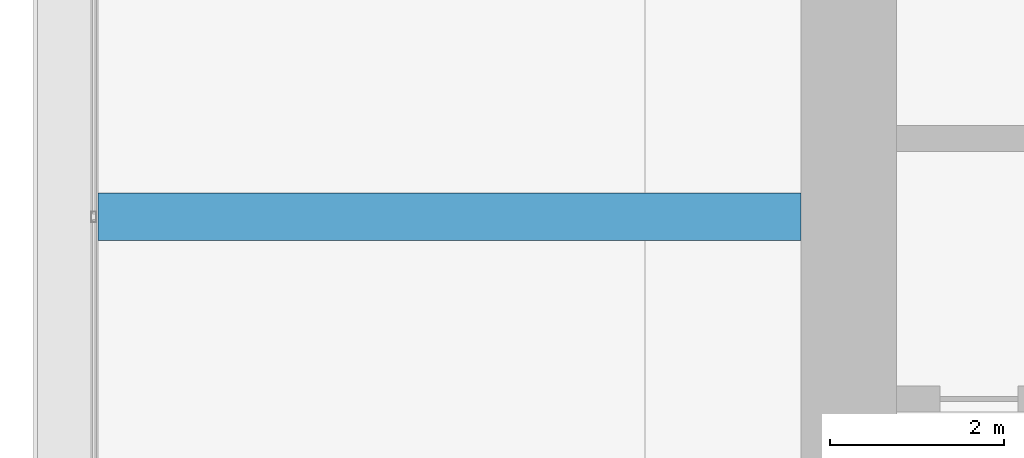
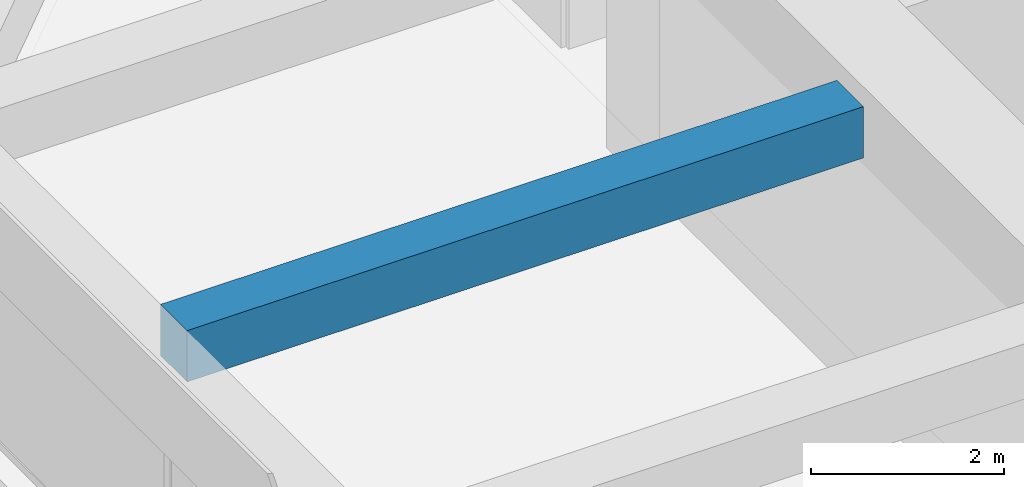
# One storey, part 17 of 44: 1 beam.
"""IFC4 building model written with IfcOpenShell, lengths in metres."""

import ifcopenshell
import ifcopenshell.guid

model = None  # the IFC model being written
_history = None  # IfcOwnerHistory: only IFC2X3 demands one
_inside = {}  # id of a spatial element -> (the spatial element, [elements in it])
_under = {}  # id of a project, library or spatial element -> (it, [spatial elements below it])
_declared = {}  # id of a project -> (the project, [libraries it declares])
_typed = {}  # id of a type object -> (the type object, [elements of that type])
_made_of = {}  # id of a material, layer set ... -> (it, [elements and type objects made of it])


def new_model(schema):
    """Start an empty IFC model of exactly this schema.

    Asked for "IFC4X3", IfcOpenShell would pick the latest addendum, in which some entities
    have other attributes; the version numbers below select the first issue.
    IFC2X3 requires an IfcOwnerHistory on every rooted entity: one is made here for all.
    """
    global model, _history
    if schema == "IFC4X3":
        model = ifcopenshell.file(schema_version=(4, 3, 0, 0))
    else:
        model = ifcopenshell.file(schema=schema)
    _inside.clear()
    _under.clear()
    _declared.clear()
    _typed.clear()
    _made_of.clear()
    _history = None
    if model.schema == "IFC2X3":
        org = make("IfcOrganization", Name="unknown")
        user = make(
            "IfcPersonAndOrganization",
            ThePerson=make("IfcPerson", FamilyName="unknown"),
            TheOrganization=org,
        )
        app = make(
            "IfcApplication",
            ApplicationDeveloper=org,
            Version="unknown",
            ApplicationFullName="unknown",
            ApplicationIdentifier="unknown",
        )
        _history = make(
            "IfcOwnerHistory",
            OwningUser=user,
            OwningApplication=app,
            ChangeAction="ADDED",
            CreationDate=0,
        )
    return model


def make(cls, **values):
    """One entity of the class cls with the attributes given. An attribute that is None is left unset."""
    return model.create_entity(
        cls, **{name: value for name, value in values.items() if value is not None}
    )


def rooted(cls, **values):
    """An entity with a GlobalId (a new one), such as an element, a storey or a relation."""
    return make(cls, GlobalId=ifcopenshell.guid.new(), OwnerHistory=_history, **values)


def si_unit(unit_type, name, prefix=None):
    """IfcSIUnit, for example si_unit("LENGTHUNIT", "METRE", prefix="MILLI")."""
    return make("IfcSIUnit", UnitType=unit_type, Prefix=prefix, Name=name)


def assignment(units):
    """IfcUnitAssignment: the units of a project."""
    return None if units is None else make("IfcUnitAssignment", Units=units)


def point(xyz):
    """IfcCartesianPoint."""
    return None if xyz is None else make("IfcCartesianPoint", Coordinates=xyz)


def direction(xyz):
    """IfcDirection."""
    return None if xyz is None else make("IfcDirection", DirectionRatios=xyz)


def frame(location, z_axis=None, x_axis=None):
    """IfcAxis2Placement3D, a coordinate frame: its origin and axes. An axis left out is left unset."""
    return make(
        "IfcAxis2Placement3D",
        Location=point(location),
        Axis=direction(z_axis),
        RefDirection=direction(x_axis),
    )


def frame_2d(location, x_axis=None):
    """IfcAxis2Placement2D, a coordinate frame in the plane: its origin and x axis."""
    return make(
        "IfcAxis2Placement2D", Location=point(location), RefDirection=direction(x_axis)
    )


def origin():
    """The frame at (0, 0, 0) with its axes left unset."""
    return frame((0.0, 0.0, 0.0))


def origin_2d():
    """The frame at (0, 0) in the plane with its x axis left unset."""
    return frame_2d((0.0, 0.0))


def place(relative_to, where):
    """IfcLocalPlacement: puts the frame where relative to a parent placement (None: the world)."""
    return make(
        "IfcLocalPlacement", PlacementRelTo=relative_to, RelativePlacement=where
    )


def context(
    kind, dimensions, precision=None, world=None, true_north=None, identifier=None
):
    """IfcGeometricRepresentationContext, for example the 3D "Model" context."""
    return make(
        "IfcGeometricRepresentationContext",
        ContextIdentifier=identifier,
        ContextType=kind,
        CoordinateSpaceDimension=dimensions,
        Precision=precision,
        WorldCoordinateSystem=world,
        TrueNorth=true_north,
    )


def subcontext(parent, identifier, kind, view, scale=None):
    """IfcGeometricRepresentationSubContext, for example "Body" below "Model"."""
    return make(
        "IfcGeometricRepresentationSubContext",
        ContextIdentifier=identifier,
        ContextType=kind,
        ParentContext=parent,
        TargetScale=scale,
        TargetView=view,
    )


def project(units=None, contexts=None):
    """IfcProject with its units and contexts."""
    return rooted(
        "IfcProject",
        Name="project",
        RepresentationContexts=contexts,
        UnitsInContext=assignment(units),
    )


def spatial(cls, under=None, at=None, **own):
    """A site, building, storey or space (cls), placed at a placement, below another one or the project."""
    s = rooted(cls, ObjectPlacement=at, **own)
    if under is not None:
        _under.setdefault(under.id(), (under, []))[1].append(s)
    return s


def profile(cls, at=None, kind="AREA", **sizes):
    """A parametric profile (cls). Its sizes go by their IFC names, for example OverallWidth=200.0."""
    return make(cls, ProfileType=kind, Position=at, **sizes)


def rectangle(**sizes):
    """IfcRectangleProfileDef."""
    return profile("IfcRectangleProfileDef", **sizes)


def extrude(swept, where, along, depth):
    """IfcExtrudedAreaSolid: the profile swept, set in the frame where, extruded along a direction by depth."""
    return make(
        "IfcExtrudedAreaSolid",
        SweptArea=swept,
        Position=where,
        ExtrudedDirection=direction(along),
        Depth=depth,
    )


def shape(context_of_items, identifier, shape_type, items):
    """IfcShapeRepresentation: the items that make up one representation, for example the "Body"."""
    return make(
        "IfcShapeRepresentation",
        ContextOfItems=context_of_items,
        RepresentationIdentifier=identifier,
        RepresentationType=shape_type,
        Items=items,
    )


def material(Name=None, Category=None):
    """IfcMaterial."""
    return make("IfcMaterial", Name=Name, Category=Category)


def material_profile(
    of_material, cross_section, Name=None, Category=None, Priority=None
):
    """IfcMaterialProfile: a cross section and its material."""
    return make(
        "IfcMaterialProfile",
        Name=Name,
        Material=of_material,
        Profile=cross_section,
        Priority=Priority,
        Category=Category,
    )


def profile_set(profiles, Name=None, composite=None):
    """IfcMaterialProfileSet."""
    return make(
        "IfcMaterialProfileSet",
        Name=Name,
        MaterialProfiles=profiles,
        CompositeProfile=composite,
    )


def made_of(thing, what):
    """Note that an element or type object is made of a material, layer set ...; save() writes the relation."""
    if what is not None:
        _made_of.setdefault(what.id(), (what, []))[1].append(thing)
    return thing


def type_object(cls, material=None, **own):
    """A type object (cls), such as IfcWallType, which elements share."""
    return made_of(rooted(cls, **own), material)


def element(
    cls,
    number,
    at=None,
    inside=None,
    cuts=None,
    type_object=None,
    material=None,
    context=None,
    identifier="Body",
    shape_type=None,
    held_by="IfcProductDefinitionShape",
    body=None,
    shapes=None,
    **own,
):
    """One element of the class cls, such as IfcWall. Its Tag is "e" and its number.

    at: its placement. inside: the storey or other place that contains it. cuts: it is an
    opening in that element (IfcRelVoidsElement). A single representation is given by context,
    identifier, shape_type and body (its items); several are given by shapes. held_by: the class
    of the entity that holds the representations. save() writes the other relations.
    """
    e = rooted(cls, Tag="e%d" % number, ObjectPlacement=at, **own)
    if body is not None:
        shapes = [shape(context, identifier, shape_type, body)]
    if shapes is not None:
        e.Representation = make(held_by, Representations=shapes)
    if inside is not None:
        _inside.setdefault(inside.id(), (inside, []))[1].append(e)
    if cuts is not None:
        rooted(
            "IfcRelVoidsElement", RelatingBuildingElement=cuts, RelatedOpeningElement=e
        )
    if type_object is not None:
        _typed.setdefault(type_object.id(), (type_object, []))[1].append(e)
    return made_of(e, material)


def aggregate(whole, parts):
    """IfcRelAggregates: a whole, such as a stair, and the parts it consists of."""
    return rooted("IfcRelAggregates", RelatingObject=whole, RelatedObjects=parts)


def save(model, path):
    """Write the relations noted so far, then the file.

    IfcRelAggregates (storeys below a building ...), IfcRelContainedInSpatialStructure (elements
    in a storey), IfcRelDefinesByType, IfcRelAssociatesMaterial and IfcRelDeclares: one each for
    every whole, place, type object, material and project.
    """
    for whole, parts in _under.values():
        aggregate(whole, parts)
    for where, things in _inside.values():
        rooted(
            "IfcRelContainedInSpatialStructure",
            RelatedElements=things,
            RelatingStructure=where,
        )
    for kind, things in _typed.values():
        rooted("IfcRelDefinesByType", RelatedObjects=things, RelatingType=kind)
    for what, things in _made_of.values():
        rooted("IfcRelAssociatesMaterial", RelatedObjects=things, RelatingMaterial=what)
    for by, libraries in _declared.values():
        rooted("IfcRelDeclares", RelatingContext=by, RelatedDefinitions=libraries)
    model.write(path)


model = new_model("IFC4")

# Units and contexts
model_context = context("Model", 3, precision=1e-05, world=origin(), true_north=direction((0.0, 1.0)))
body_context = subcontext(model_context, "Body", "Model", "MODEL_VIEW")
ifc_project = project(units=[si_unit("LENGTHUNIT", "METRE"), si_unit("AREAUNIT", "SQUARE_METRE"), si_unit("VOLUMEUNIT", "CUBIC_METRE"), si_unit("PLANEANGLEUNIT", "RADIAN"), si_unit("MASSUNIT", "GRAM", prefix="KILO")], contexts=[model_context])

# Site, building, storey
site_placement = place(None, origin())
site = spatial("IfcSite", under=ifc_project, at=site_placement, CompositionType="ELEMENT")
building_placement = place(site_placement, origin())
building = spatial("IfcBuilding", under=site, at=building_placement, Name="Zorevar Civic Tower", CompositionType="ELEMENT")
storey_placement = place(building_placement, frame((0.0, 0.0, 255.39990234375)))
storey = spatial("IfcBuildingStorey", under=building, at=storey_placement, Name="L62", CompositionType="ELEMENT", Elevation=255.39990234375)

# Beam
ifc_material = material(Name="Concrete C50/60", Category="concrete")
ifc_material_profile = material_profile(ifc_material, rectangle(XDim=0.550048828125, YDim=0.64990234375, at=origin_2d()), Name="RC 550x650")
ifc_profile_set = profile_set([ifc_material_profile], Name="Concrete C50/60")
beam_type = type_object("IfcBeamType", Name="Beam RC 550x650", PredefinedType="BEAM", material=ifc_profile_set)
beam_placement = place(storey_placement, frame((9.35009765625, 31.5, 3.425048828125), z_axis=(1.0, 0.0, 0.0), x_axis=(0.0, 1.0, 0.0)))
element("IfcBeam", 1, at=beam_placement, inside=storey, type_object=beam_type, Name="Secondary beam L63", PredefinedType="BEAM", context=body_context, shape_type="SweptSolid", body=[
    extrude(rectangle(XDim=0.550048828125, YDim=0.64990234375, at=origin_2d()), origin(), (0.0, 0.0, 1.0), 8.099853515625),
])

save(model, "model.ifc")
